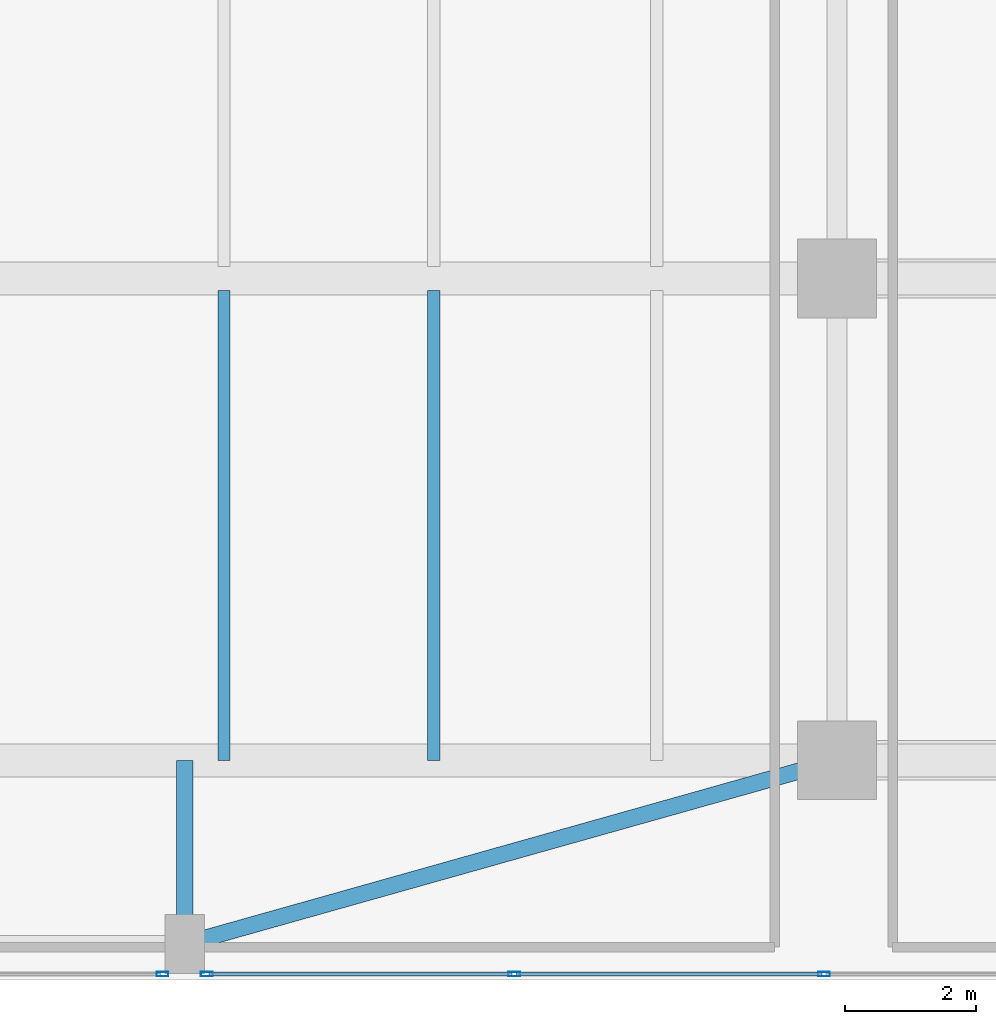
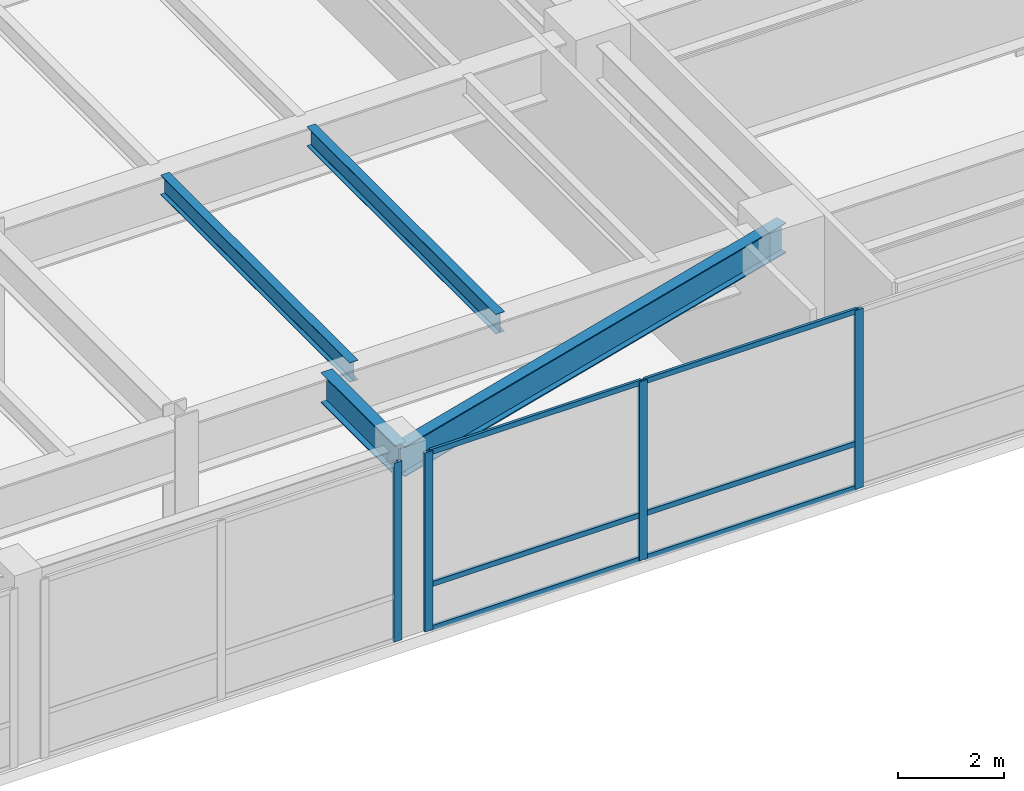
# One storey, part 6 of 27: 10 members, 4 beams, 2 elements without a shape of their own.
"""IFC4 building model written with IfcOpenShell, lengths in metres."""

from ifc_helpers import new_model, si_unit, direction, frame, origin, origin_2d, place, context, subcontext, project, spatial, hollow_rectangle, i_section, extrude, source, transform, mapped, material, layer, layer_set, material_profile, profile_set, type_object, type_shapes, element, aggregate, save


model = new_model("IFC4")

# Units and contexts
model_context = context("Model", 3, precision=1e-05, world=origin(), true_north=direction((0.0, 1.0)))
body_context = subcontext(model_context, "Body", "Model", "MODEL_VIEW")
ifc_project = project(units=[si_unit("LENGTHUNIT", "METRE"), si_unit("AREAUNIT", "SQUARE_METRE"), si_unit("VOLUMEUNIT", "CUBIC_METRE"), si_unit("PLANEANGLEUNIT", "RADIAN"), si_unit("MASSUNIT", "GRAM", prefix="KILO")], contexts=[model_context])

# Site, building, storey
site_placement = place(None, origin())
site = spatial("IfcSite", under=ifc_project, at=site_placement, CompositionType="ELEMENT")
building_placement = place(site_placement, origin())
building = spatial("IfcBuilding", under=site, at=building_placement, Name="Tolvann Quenvar Hotel", CompositionType="ELEMENT")
storey_placement = place(building_placement, frame((0.0, 0.0, 22.39990234375)))
storey = spatial("IfcBuildingStorey", under=building, at=storey_placement, Name="L04", CompositionType="ELEMENT", Elevation=22.39990234375)

# Beams
ifc_material_1 = material(Name="Steel Grade 350", Category="steel")
ifc_material_profile_1 = material_profile(ifc_material_1, i_section(OverallWidth=0.25, OverallDepth=0.699951171875, WebThickness=0.010009765625, FlangeThickness=0.02392578125, at=origin_2d()), Name="700WB150")
ifc_profile_set_1 = profile_set([ifc_material_profile_1], Name="Steel Grade 350")
beam_type_1 = type_object("IfcBeamType", Name="BM_GIRD_700WB150", PredefinedType="BEAM", material=ifc_profile_set_1)
shared_shape_1 = source(origin(), body_context, "Body", "SweptSolid", [
    extrude(i_section(OverallWidth=0.25, OverallDepth=0.699951171875, WebThickness=0.010009765625, FlangeThickness=0.02392578125, at=origin_2d()), origin(), (0.0, 0.0, 1.0), 10.33642578125),
])
beam_1_placement = place(storey_placement, frame((8.800048828125, -1.949951171875, 3.7900390625), z_axis=(0.962609953155, 0.270891266169, 0.0), x_axis=(-0.270891266169, 0.962609953155, 0.0)))
element("IfcBeam", 1, at=beam_1_placement, inside=storey, type_object=beam_type_1, Name="BM-L04-EWS-W2", PredefinedType="BEAM", context=body_context, shape_type="MappedRepresentation", body=[
    mapped(shared_shape_1, transform((0.0, 0.0, 0.0), x_axis=(1.0, 0.0, 0.0), y_axis=(0.0, 1.0, 0.0), z_axis=(0.0, 0.0, 1.0), scale=1.0)),
])
shared_shape_2 = source(origin(), body_context, "Body", "SweptSolid", [
    extrude(i_section(OverallWidth=0.25, OverallDepth=0.699951171875, WebThickness=0.010009765625, FlangeThickness=0.02392578125, at=origin_2d()), origin(), (0.0, 0.0, 1.0), 2.800048828125),
])
type_shapes(beam_type_1, [shared_shape_1, shared_shape_2])
beam_2_placement = place(storey_placement, frame((8.800048828125, -1.949951171875, 3.7900390625), z_axis=(0.0, 1.0, 0.0), x_axis=(-1.0, 0.0, 0.0)))
element("IfcBeam", 2, at=beam_2_placement, inside=storey, type_object=beam_type_1, Name="BM-L04-TIE-S-8", PredefinedType="BEAM", context=body_context, shape_type="MappedRepresentation", body=[
    mapped(shared_shape_2, transform((0.0, 0.0, 0.0), x_axis=(1.0, 0.0, 0.0), y_axis=(0.0, 1.0, 0.0), z_axis=(0.0, 0.0, 1.0), scale=1.0)),
])
ifc_material_profile_2 = material_profile(ifc_material_1, i_section(OverallWidth=0.18994140625, OverallDepth=0.4541015625, WebThickness=0.008544921875, FlangeThickness=0.0126953125, FilletRadius=0.011474609375, at=origin_2d()), Name="460UB67")
ifc_profile_set_2 = profile_set([ifc_material_profile_2], Name="Steel Grade 350")
beam_type_2 = type_object("IfcBeamType", Name="BM_JOIST_460UB67", PredefinedType="JOIST", material=ifc_profile_set_2)
shared_shape_3 = source(origin(), body_context, "Body", "SweptSolid", [
    extrude(i_section(OverallWidth=0.18994140625, OverallDepth=0.4541015625, WebThickness=0.008544921875, FlangeThickness=0.0126953125, FilletRadius=0.011474609375, at=origin_2d()), origin(), (0.0, 0.0, 1.0), 7.164794921875),
])
type_shapes(beam_type_2, [shared_shape_3])
for number, where, z_axis, x_axis, name in (
    (3, (9.39990234375, 0.85009765625, 3.9130859375), (0.0, 1.0, 0.0), (-1.0, 0.0, 0.0), "BJ-L04-94-8"),
    (4, (12.60009765625, 0.85009765625, 3.9130859375), (0.0, 1.0, 0.0), (-1.0, 0.0, 0.0), "BJ-L04-126-8"),
):
    element("IfcBeam", number, at=place(storey_placement, frame(where, z_axis=z_axis, x_axis=x_axis)), inside=storey, type_object=beam_type_2, Name=name, PredefinedType="JOIST", context=body_context, shape_type="MappedRepresentation", body=[
        mapped(shared_shape_3, transform((0.0, 0.0, 0.0), x_axis=(1.0, 0.0, 0.0), y_axis=(0.0, 1.0, 0.0), z_axis=(0.0, 0.0, 1.0), scale=1.0)),
    ])

# Curtain wall, member
ifc_material_2 = material(Name="Thermally broken anodised architectural aluminium 6063-T6 and laminated low-E glass", Category="aluminium")
ifc_layer = layer(ifc_material_2, 0.179931640625)
ifc_layer_set = layer_set([ifc_layer], Name="Thermally broken anodised architectural aluminium 6063-T6 and laminated low-E glass")
curtain_wall_type = type_object("IfcCurtainWallType", Name="CW_SYS_BALL_02", PredefinedType="USERDEFINED", material=ifc_layer_set)
curtain_wall_1_placement = place(storey_placement, origin())
curtain_wall_1 = element("IfcCurtainWall", 5, at=curtain_wall_1_placement, inside=storey, type_object=curtain_wall_type, Name="Curtain Wall CW-BALL-02 (CWR-L04-E04-S2)", ObjectType="UNITISED CURTAIN WALL", PredefinedType="USERDEFINED")
ifc_material_3 = material(Name="Anodised architectural aluminium 6063-T6 framing", Category="aluminium")
ifc_material_profile_3 = material_profile(ifc_material_3, hollow_rectangle(XDim=0.070068359375, YDim=0.179931640625, WallThickness=0.00390625, at=origin_2d()), Name="180x70x4RHS")
ifc_profile_set_3 = profile_set([ifc_material_profile_3], Name="Anodised architectural aluminium 6063-T6 framing")
member_type_1 = type_object("IfcMemberType", Name="CW_MULL_180x70", PredefinedType="MULLION", material=ifc_profile_set_3)
shared_shape_4 = source(origin(), body_context, "Body", "SweptSolid", [
    extrude(hollow_rectangle(XDim=0.070068359375, YDim=0.179931640625, WallThickness=0.00390625, at=origin_2d()), origin(), (0.0, 0.0, 1.0), 4.14013671875),
])
type_shapes(member_type_1, [shared_shape_4])
member_1_placement = place(storey_placement, frame((8.4609375, -2.409912109375, 0.0), z_axis=(0.0, 0.0, 1.0), x_axis=(0.0, 1.0, 0.0)))
member_1 = element("IfcMember", 6, at=member_1_placement, type_object=member_type_1, Name="CW-BALL-02 mullion 3", PredefinedType="MULLION", context=body_context, shape_type="MappedRepresentation", body=[
    mapped(shared_shape_4, transform((0.0, 0.0, 0.0), x_axis=(1.0, 0.0, 0.0), y_axis=(0.0, 1.0, 0.0), z_axis=(0.0, 0.0, 1.0), scale=1.0)),
])
aggregate(curtain_wall_1, [member_1])

# Curtain wall, members
curtain_wall_2_placement = place(storey_placement, origin())
curtain_wall_2 = element("IfcCurtainWall", 7, at=curtain_wall_2_placement, inside=storey, type_object=curtain_wall_type, Name="Curtain Wall CW-BALL-02 (CWR-L04-E04-S3)", ObjectType="UNITISED CURTAIN WALL", PredefinedType="USERDEFINED")
member_2_placement = place(storey_placement, frame((9.138916015625, -2.409912109375, 0.0), z_axis=(0.0, 0.0, 1.0), x_axis=(0.0, 1.0, 0.0)))
member_2 = element("IfcMember", 8, at=member_2_placement, type_object=member_type_1, Name="CW-BALL-02 mullion 1", PredefinedType="MULLION", context=body_context, shape_type="MappedRepresentation", body=[
    mapped(shared_shape_4, transform((0.0, 0.0, 0.0), x_axis=(1.0, 0.0, 0.0), y_axis=(0.0, 1.0, 0.0), z_axis=(0.0, 0.0, 1.0), scale=1.0)),
])
member_3_placement = place(storey_placement, frame((13.827880859375, -2.409912109375, 0.0), z_axis=(0.0, 0.0, 1.0), x_axis=(0.0, 1.0, 0.0)))
member_3 = element("IfcMember", 9, at=member_3_placement, type_object=member_type_1, Name="CW-BALL-02 mullion 2", PredefinedType="MULLION", context=body_context, shape_type="MappedRepresentation", body=[
    mapped(shared_shape_4, transform((0.0, 0.0, 0.0), x_axis=(1.0, 0.0, 0.0), y_axis=(0.0, 1.0, 0.0), z_axis=(0.0, 0.0, 1.0), scale=1.0)),
])
member_4_placement = place(storey_placement, frame((18.552001953125, -2.409912109375, 0.0), z_axis=(0.0, 0.0, 1.0), x_axis=(0.0, 1.0, 0.0)))
member_4 = element("IfcMember", 10, at=member_4_placement, type_object=member_type_1, Name="CW-BALL-02 mullion 3", PredefinedType="MULLION", context=body_context, shape_type="MappedRepresentation", body=[
    mapped(shared_shape_4, transform((0.0, 0.0, 0.0), x_axis=(1.0, 0.0, 0.0), y_axis=(0.0, 1.0, 0.0), z_axis=(0.0, 0.0, 1.0), scale=1.0)),
])
ifc_material_profile_4 = material_profile(ifc_material_3, hollow_rectangle(XDim=0.06005859375, YDim=0.1201171875, WallThickness=0.00341796875, at=origin_2d()), Name="120x60x3.5RHS")
ifc_profile_set_4 = profile_set([ifc_material_profile_4], Name="Anodised architectural aluminium 6063-T6 framing")
member_type_2 = type_object("IfcMemberType", Name="CW_TRAN_120x60", PredefinedType="USERDEFINED", material=ifc_profile_set_4)
shared_shape_5 = source(origin(), body_context, "Body", "SweptSolid", [
    extrude(hollow_rectangle(XDim=0.06005859375, YDim=0.1201171875, WallThickness=0.00341796875, at=origin_2d()), origin(), (0.0, 0.0, 1.0), 4.618896484375),
])
member_5_placement = place(storey_placement, frame((9.174072265625, -2.409912109375, 0.030029296875), z_axis=(1.0, 0.0, 0.0), x_axis=(0.0, 1.0, 0.0)))
member_5 = element("IfcMember", 11, at=member_5_placement, type_object=member_type_2, Name="CW-BALL-02 transom 1.1", ObjectType="TRANSOM", PredefinedType="USERDEFINED", context=body_context, shape_type="MappedRepresentation", body=[
    mapped(shared_shape_5, transform((0.0, 0.0, 0.0), x_axis=(1.0, 0.0, 0.0), y_axis=(0.0, 1.0, 0.0), z_axis=(0.0, 0.0, 1.0), scale=1.0)),
])
member_6_placement = place(storey_placement, frame((9.174072265625, -2.409912109375, 1.050048828125), z_axis=(1.0, 0.0, 0.0), x_axis=(0.0, 1.0, 0.0)))
member_6 = element("IfcMember", 12, at=member_6_placement, type_object=member_type_2, Name="CW-BALL-02 transom 1.2", ObjectType="TRANSOM", PredefinedType="USERDEFINED", context=body_context, shape_type="MappedRepresentation", body=[
    mapped(shared_shape_5, transform((0.0, 0.0, 0.0), x_axis=(1.0, 0.0, 0.0), y_axis=(0.0, 1.0, 0.0), z_axis=(0.0, 0.0, 1.0), scale=1.0)),
])
member_7_placement = place(storey_placement, frame((9.174072265625, -2.409912109375, 4.110107421875), z_axis=(1.0, 0.0, 0.0), x_axis=(0.0, 1.0, 0.0)))
member_7 = element("IfcMember", 13, at=member_7_placement, type_object=member_type_2, Name="CW-BALL-02 transom 1.3", ObjectType="TRANSOM", PredefinedType="USERDEFINED", context=body_context, shape_type="MappedRepresentation", body=[
    mapped(shared_shape_5, transform((0.0, 0.0, 0.0), x_axis=(1.0, 0.0, 0.0), y_axis=(0.0, 1.0, 0.0), z_axis=(0.0, 0.0, 1.0), scale=1.0)),
])
shared_shape_6 = source(origin(), body_context, "Body", "SweptSolid", [
    extrude(hollow_rectangle(XDim=0.06005859375, YDim=0.1201171875, WallThickness=0.00341796875, at=origin_2d()), origin(), (0.0, 0.0, 1.0), 4.654052734375),
])
type_shapes(member_type_2, [shared_shape_5, shared_shape_6])
member_8_placement = place(storey_placement, frame((13.863037109375, -2.409912109375, 0.030029296875), z_axis=(1.0, 0.0, 0.0), x_axis=(0.0, 1.0, 0.0)))
member_8 = element("IfcMember", 14, at=member_8_placement, type_object=member_type_2, Name="CW-BALL-02 transom 2.1", ObjectType="TRANSOM", PredefinedType="USERDEFINED", context=body_context, shape_type="MappedRepresentation", body=[
    mapped(shared_shape_6, transform((0.0, 0.0, 0.0), x_axis=(1.0, 0.0, 0.0), y_axis=(0.0, 1.0, 0.0), z_axis=(0.0, 0.0, 1.0), scale=1.0)),
])
member_9_placement = place(storey_placement, frame((13.863037109375, -2.409912109375, 1.050048828125), z_axis=(1.0, 0.0, 0.0), x_axis=(0.0, 1.0, 0.0)))
member_9 = element("IfcMember", 15, at=member_9_placement, type_object=member_type_2, Name="CW-BALL-02 transom 2.2", ObjectType="TRANSOM", PredefinedType="USERDEFINED", context=body_context, shape_type="MappedRepresentation", body=[
    mapped(shared_shape_6, transform((0.0, 0.0, 0.0), x_axis=(1.0, 0.0, 0.0), y_axis=(0.0, 1.0, 0.0), z_axis=(0.0, 0.0, 1.0), scale=1.0)),
])
member_10_placement = place(storey_placement, frame((13.863037109375, -2.409912109375, 4.110107421875), z_axis=(1.0, 0.0, 0.0), x_axis=(0.0, 1.0, 0.0)))
member_10 = element("IfcMember", 16, at=member_10_placement, type_object=member_type_2, Name="CW-BALL-02 transom 2.3", ObjectType="TRANSOM", PredefinedType="USERDEFINED", context=body_context, shape_type="MappedRepresentation", body=[
    mapped(shared_shape_6, transform((0.0, 0.0, 0.0), x_axis=(1.0, 0.0, 0.0), y_axis=(0.0, 1.0, 0.0), z_axis=(0.0, 0.0, 1.0), scale=1.0)),
])
aggregate(curtain_wall_2, [member_2, member_3, member_4, member_5, member_6, member_7, member_8, member_9, member_10])

save(model, "model.ifc")
